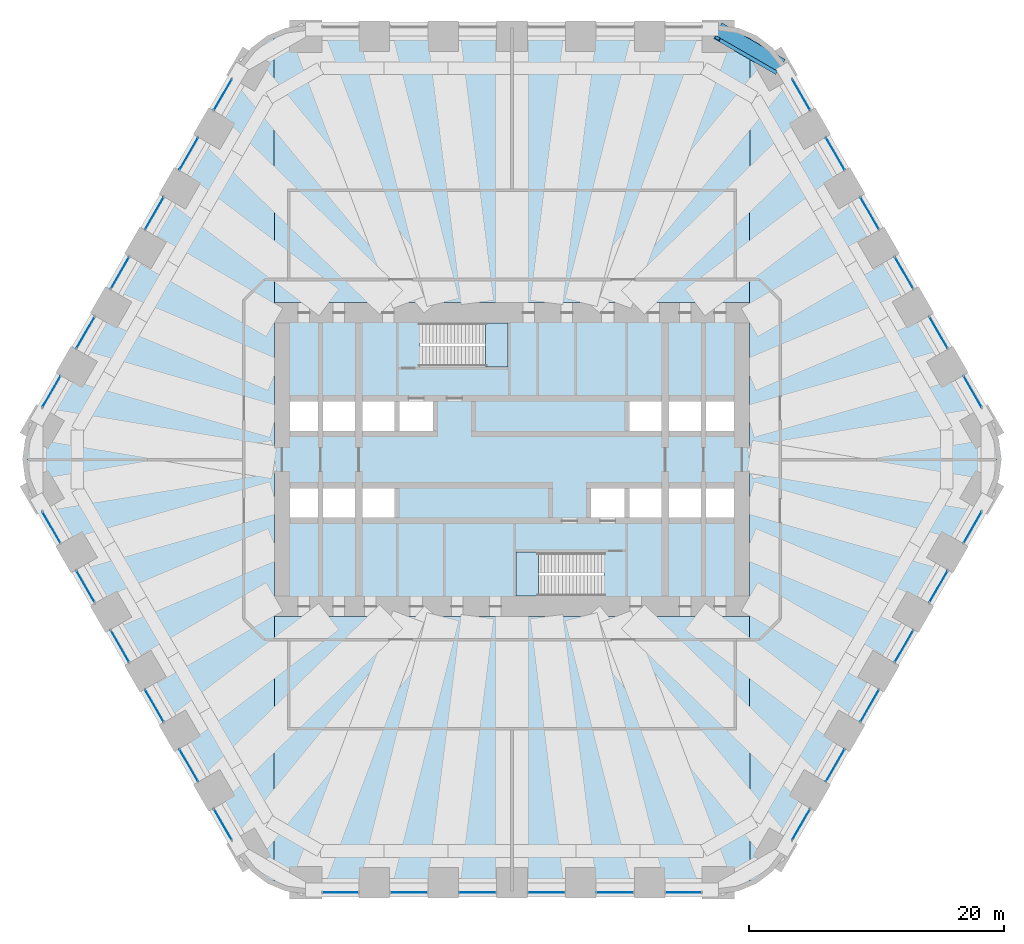
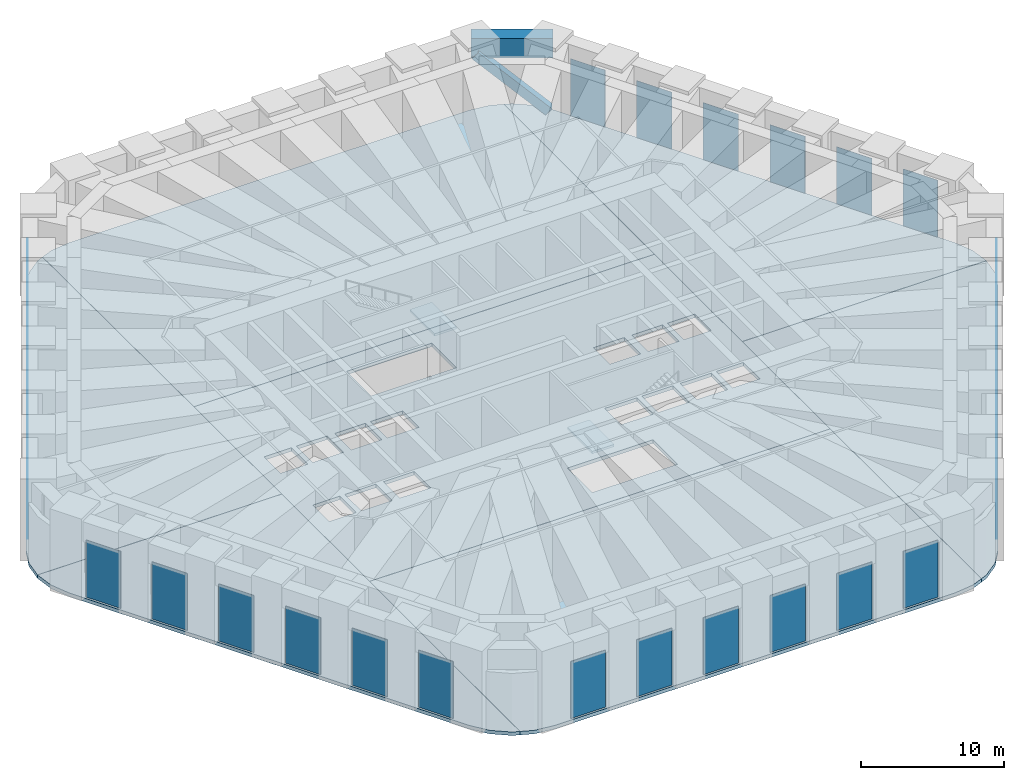
# One storey, part 12 of 17: 30 plates, 9 slabs, 1 beam, 1 member, 32 elements without a shape of their own.
"""IFC4 building model written with IfcOpenShell, lengths in metres."""

from ifc_helpers import new_model, si_unit, direction, frame, origin, origin_2d, place, context, subcontext, project, spatial, polyline, rectangle, hollow_rectangle, outline, extrude, material, layer, layer_set, material_profile, profile_set, type_object, element, aggregate, save


model = new_model("IFC4")

# Units and contexts
model_context = context("Model", 3, precision=1e-05, world=origin(), true_north=direction((0.0, 1.0)))
body_context = subcontext(model_context, "Body", "Model", "MODEL_VIEW")
ifc_project = project(units=[si_unit("LENGTHUNIT", "METRE"), si_unit("AREAUNIT", "SQUARE_METRE"), si_unit("VOLUMEUNIT", "CUBIC_METRE"), si_unit("PLANEANGLEUNIT", "RADIAN"), si_unit("MASSUNIT", "GRAM", prefix="KILO")], contexts=[model_context])

# Site, building, storey
site_placement = place(None, origin())
site = spatial("IfcSite", under=ifc_project, at=site_placement, CompositionType="ELEMENT")
building_placement = place(site_placement, origin())
building = spatial("IfcBuilding", under=site, at=building_placement, Name="Tarfa Lantern Tower", CompositionType="ELEMENT")
storey_placement = place(building_placement, frame((0.0, 0.0, 107.5)))
storey = spatial("IfcBuildingStorey", under=building, at=storey_placement, Name="L24", CompositionType="ELEMENT", Elevation=107.5)

# Member
ifc_material_1 = material(Name="Steel S460M", Category="steel")
ifc_material_profile_1 = material_profile(ifc_material_1, hollow_rectangle(XDim=0.699951171875, YDim=0.699951171875, WallThickness=0.080078125, at=origin_2d()), Name="BOX700x700x80")
ifc_profile_set_1 = profile_set([ifc_material_profile_1], Name="Steel S460M")
member_type = type_object("IfcMemberType", Name="BT1 BOX700x700x80", PredefinedType="BRACE", material=ifc_profile_set_1)
member_placement = place(storey_placement, frame((20.625732421875, 30.574951171875, 0.60009765625), z_axis=(-0.633529001799, 0.365766935733, 0.681803162654), x_axis=(-0.499998765615, -0.866026116456, 0.0)))
element("IfcMember", 1, at=member_placement, inside=storey, type_object=member_type, Name="Belt truss diagonal 7", PredefinedType="BRACE", context=body_context, shape_type="SweptSolid", body=[
    extrude(hollow_rectangle(XDim=0.699951171875, YDim=0.699951171875, WallThickness=0.080078125, at=origin_2d()), origin(), (0.0, 0.0, 1.0), 7.039794921875),
])

# Beam
ifc_material_2 = material(Name="Concrete C80/95", Category="concrete")
ifc_material_profile_2 = material_profile(ifc_material_2, rectangle(XDim=1.10009765625, YDim=1.699951171875, at=origin_2d()), Name="RC 1100x1700")
ifc_profile_set_2 = profile_set([ifc_material_profile_2], Name="Concrete C80/95")
beam_type = type_object("IfcBeamType", Name="RB1 RC 1100x1700", PredefinedType="BEAM", material=ifc_profile_set_2)
beam_placement = place(storey_placement, frame((21.119384765625, 30.860107421875, 5.85009765625), z_axis=(-0.866033479681, 0.499986011877, 0.0), x_axis=(-0.499986011877, -0.866033479681, 0.0)))
element("IfcBeam", 2, at=beam_placement, inside=storey, type_object=beam_type, Name="Edge beam NE6", PredefinedType="BEAM", context=body_context, shape_type="SweptSolid", body=[
    extrude(rectangle(XDim=1.10009765625, YDim=1.699951171875, at=origin_2d()), origin(), (0.0, 0.0, 1.0), 5.719970703125),
])

# Curtain wall, plate
ifc_material_3 = material(Name="Aluminium framed curtain wall", Category="aluminium")
curtain_wall_type = type_object("IfcCurtainWallType", Name="CW6 LOUVRED SCREEN WALL 5000", PredefinedType="USERDEFINED", material=ifc_material_3)
curtain_wall_1_placement = place(storey_placement, origin())
curtain_wall_1 = element("IfcCurtainWall", 3, at=curtain_wall_1_placement, inside=storey, type_object=curtain_wall_type, Name="CW6 NE L24", ObjectType="CURTAIN WALL", PredefinedType="USERDEFINED")
ifc_material_4 = material(Name="Aluminium louvre blades", Category="aluminium")
ifc_layer_1 = layer(ifc_material_4, 0.028076171875)
ifc_layer_set_1 = layer_set([ifc_layer_1], Name="CWP2 LOUVRE PANEL")
plate_type = type_object("IfcPlateType", Name="CWP2 LOUVRE PANEL", PredefinedType="CURTAIN_PANEL", material=ifc_layer_set_1)
plate_1_placement = place(storey_placement, frame((36.0751953125, 5.31591796875, 0.06494140625), z_axis=(0.0, 0.0, 1.0), x_axis=(-0.5, 0.866025403784, 0.0)))
plate_1 = element("IfcPlate", 4, at=plate_1_placement, type_object=plate_type, Name="CW6 panel 1.1", PredefinedType="CURTAIN_PANEL", context=body_context, shape_type="SweptSolid", body=[
    extrude(rectangle(XDim=2.78369140625, YDim=0.028076171875, at=origin_2d()), origin(), (0.0, 0.0, 1.0), 4.8701171875),
])
aggregate(curtain_wall_1, [plate_1])

curtain_wall_2_placement = place(storey_placement, origin())
curtain_wall_2 = element("IfcCurtainWall", 5, at=curtain_wall_2_placement, inside=storey, type_object=curtain_wall_type, Name="CW6 NE L24", ObjectType="CURTAIN WALL", PredefinedType="USERDEFINED")
plate_2_placement = place(storey_placement, frame((33.399658203125, 9.949951171875, 0.06494140625), z_axis=(0.0, 0.0, 1.0), x_axis=(-0.5, 0.866025403784, 0.0)))
plate_2 = element("IfcPlate", 6, at=plate_2_placement, type_object=plate_type, Name="CW6 panel 1.1", PredefinedType="CURTAIN_PANEL", context=body_context, shape_type="SweptSolid", body=[
    extrude(rectangle(XDim=2.858642578125, YDim=0.028076171875, at=origin_2d()), origin(), (0.0, 0.0, 1.0), 4.8701171875),
])
aggregate(curtain_wall_2, [plate_2])

curtain_wall_3_placement = place(storey_placement, origin())
curtain_wall_3 = element("IfcCurtainWall", 7, at=curtain_wall_3_placement, inside=storey, type_object=curtain_wall_type, Name="CW6 NE L24", ObjectType="CURTAIN WALL", PredefinedType="USERDEFINED")
plate_3_placement = place(storey_placement, frame((30.705322265625, 14.61669921875, 0.06494140625), z_axis=(0.0, 0.0, 1.0), x_axis=(-0.5, 0.866025403784, 0.0)))
plate_3 = element("IfcPlate", 8, at=plate_3_placement, type_object=plate_type, Name="CW6 panel 1.1", PredefinedType="CURTAIN_PANEL", context=body_context, shape_type="SweptSolid", body=[
    extrude(rectangle(XDim=2.858642578125, YDim=0.028076171875, at=origin_2d()), origin(), (0.0, 0.0, 1.0), 4.8701171875),
])
aggregate(curtain_wall_3, [plate_3])

curtain_wall_4_placement = place(storey_placement, origin())
curtain_wall_4 = element("IfcCurtainWall", 9, at=curtain_wall_4_placement, inside=storey, type_object=curtain_wall_type, Name="CW6 NE L24", ObjectType="CURTAIN WALL", PredefinedType="USERDEFINED")
plate_4_placement = place(storey_placement, frame((28.01123046875, 19.283447265625, 0.06494140625), z_axis=(0.0, 0.0, 1.0), x_axis=(-0.5, 0.866025403784, 0.0)))
plate_4 = element("IfcPlate", 10, at=plate_4_placement, type_object=plate_type, Name="CW6 panel 1.1", PredefinedType="CURTAIN_PANEL", context=body_context, shape_type="SweptSolid", body=[
    extrude(rectangle(XDim=2.858642578125, YDim=0.028076171875, at=origin_2d()), origin(), (0.0, 0.0, 1.0), 4.8701171875),
])
aggregate(curtain_wall_4, [plate_4])

curtain_wall_5_placement = place(storey_placement, origin())
curtain_wall_5 = element("IfcCurtainWall", 11, at=curtain_wall_5_placement, inside=storey, type_object=curtain_wall_type, Name="CW6 NE L24", ObjectType="CURTAIN WALL", PredefinedType="USERDEFINED")
plate_5_placement = place(storey_placement, frame((25.31689453125, 23.949951171875, 0.06494140625), z_axis=(0.0, 0.0, 1.0), x_axis=(-0.5, 0.866025403784, 0.0)))
plate_5 = element("IfcPlate", 12, at=plate_5_placement, type_object=plate_type, Name="CW6 panel 1.1", PredefinedType="CURTAIN_PANEL", context=body_context, shape_type="SweptSolid", body=[
    extrude(rectangle(XDim=2.858642578125, YDim=0.028076171875, at=origin_2d()), origin(), (0.0, 0.0, 1.0), 4.8701171875),
])
aggregate(curtain_wall_5, [plate_5])

curtain_wall_6_placement = place(storey_placement, origin())
curtain_wall_6 = element("IfcCurtainWall", 13, at=curtain_wall_6_placement, inside=storey, type_object=curtain_wall_type, Name="CW6 NE L24", ObjectType="CURTAIN WALL", PredefinedType="USERDEFINED")
plate_6_placement = place(storey_placement, frame((22.641357421875, 28.584228515625, 0.06494140625), z_axis=(0.0, 0.0, 1.0), x_axis=(-0.5, 0.866025403784, 0.0)))
plate_6 = element("IfcPlate", 14, at=plate_6_placement, type_object=plate_type, Name="CW6 panel 1.1", PredefinedType="CURTAIN_PANEL", context=body_context, shape_type="SweptSolid", body=[
    extrude(rectangle(XDim=2.78369140625, YDim=0.028076171875, at=origin_2d()), origin(), (0.0, 0.0, 1.0), 4.8701171875),
])
aggregate(curtain_wall_6, [plate_6])

curtain_wall_7_placement = place(storey_placement, origin())
curtain_wall_7 = element("IfcCurtainWall", 15, at=curtain_wall_7_placement, inside=storey, type_object=curtain_wall_type, Name="CW6 NW L24", ObjectType="CURTAIN WALL", PredefinedType="USERDEFINED")
plate_7_placement = place(storey_placement, frame((-22.641357421875, 28.584228515625, 0.06494140625), z_axis=(0.0, 0.0, 1.0), x_axis=(-0.5, -0.866025403784, 0.0)))
plate_7 = element("IfcPlate", 16, at=plate_7_placement, type_object=plate_type, Name="CW6 panel 1.1", PredefinedType="CURTAIN_PANEL", context=body_context, shape_type="SweptSolid", body=[
    extrude(rectangle(XDim=2.78369140625, YDim=0.028076171875, at=origin_2d()), origin(), (0.0, 0.0, 1.0), 4.8701171875),
])
aggregate(curtain_wall_7, [plate_7])

curtain_wall_8_placement = place(storey_placement, origin())
curtain_wall_8 = element("IfcCurtainWall", 17, at=curtain_wall_8_placement, inside=storey, type_object=curtain_wall_type, Name="CW6 NW L24", ObjectType="CURTAIN WALL", PredefinedType="USERDEFINED")
plate_8_placement = place(storey_placement, frame((-25.31689453125, 23.949951171875, 0.06494140625), z_axis=(0.0, 0.0, 1.0), x_axis=(-0.5, -0.866025403784, 0.0)))
plate_8 = element("IfcPlate", 18, at=plate_8_placement, type_object=plate_type, Name="CW6 panel 1.1", PredefinedType="CURTAIN_PANEL", context=body_context, shape_type="SweptSolid", body=[
    extrude(rectangle(XDim=2.858642578125, YDim=0.028076171875, at=origin_2d()), origin(), (0.0, 0.0, 1.0), 4.8701171875),
])
aggregate(curtain_wall_8, [plate_8])

curtain_wall_9_placement = place(storey_placement, origin())
curtain_wall_9 = element("IfcCurtainWall", 19, at=curtain_wall_9_placement, inside=storey, type_object=curtain_wall_type, Name="CW6 NW L24", ObjectType="CURTAIN WALL", PredefinedType="USERDEFINED")
plate_9_placement = place(storey_placement, frame((-28.01123046875, 19.283447265625, 0.06494140625), z_axis=(0.0, 0.0, 1.0), x_axis=(-0.5, -0.866025403784, 0.0)))
plate_9 = element("IfcPlate", 20, at=plate_9_placement, type_object=plate_type, Name="CW6 panel 1.1", PredefinedType="CURTAIN_PANEL", context=body_context, shape_type="SweptSolid", body=[
    extrude(rectangle(XDim=2.858642578125, YDim=0.028076171875, at=origin_2d()), origin(), (0.0, 0.0, 1.0), 4.8701171875),
])
aggregate(curtain_wall_9, [plate_9])

curtain_wall_10_placement = place(storey_placement, origin())
curtain_wall_10 = element("IfcCurtainWall", 21, at=curtain_wall_10_placement, inside=storey, type_object=curtain_wall_type, Name="CW6 NW L24", ObjectType="CURTAIN WALL", PredefinedType="USERDEFINED")
plate_10_placement = place(storey_placement, frame((-30.705322265625, 14.61669921875, 0.06494140625), z_axis=(0.0, 0.0, 1.0), x_axis=(-0.5, -0.866025403784, 0.0)))
plate_10 = element("IfcPlate", 22, at=plate_10_placement, type_object=plate_type, Name="CW6 panel 1.1", PredefinedType="CURTAIN_PANEL", context=body_context, shape_type="SweptSolid", body=[
    extrude(rectangle(XDim=2.858642578125, YDim=0.028076171875, at=origin_2d()), origin(), (0.0, 0.0, 1.0), 4.8701171875),
])
aggregate(curtain_wall_10, [plate_10])

curtain_wall_11_placement = place(storey_placement, origin())
curtain_wall_11 = element("IfcCurtainWall", 23, at=curtain_wall_11_placement, inside=storey, type_object=curtain_wall_type, Name="CW6 NW L24", ObjectType="CURTAIN WALL", PredefinedType="USERDEFINED")
plate_11_placement = place(storey_placement, frame((-33.399658203125, 9.949951171875, 0.06494140625), z_axis=(0.0, 0.0, 1.0), x_axis=(-0.5, -0.866025403784, 0.0)))
plate_11 = element("IfcPlate", 24, at=plate_11_placement, type_object=plate_type, Name="CW6 panel 1.1", PredefinedType="CURTAIN_PANEL", context=body_context, shape_type="SweptSolid", body=[
    extrude(rectangle(XDim=2.858642578125, YDim=0.028076171875, at=origin_2d()), origin(), (0.0, 0.0, 1.0), 4.8701171875),
])
aggregate(curtain_wall_11, [plate_11])

curtain_wall_12_placement = place(storey_placement, origin())
curtain_wall_12 = element("IfcCurtainWall", 25, at=curtain_wall_12_placement, inside=storey, type_object=curtain_wall_type, Name="CW6 NW L24", ObjectType="CURTAIN WALL", PredefinedType="USERDEFINED")
plate_12_placement = place(storey_placement, frame((-36.0751953125, 5.31591796875, 0.06494140625), z_axis=(0.0, 0.0, 1.0), x_axis=(-0.5, -0.866025403784, 0.0)))
plate_12 = element("IfcPlate", 26, at=plate_12_placement, type_object=plate_type, Name="CW6 panel 1.1", PredefinedType="CURTAIN_PANEL", context=body_context, shape_type="SweptSolid", body=[
    extrude(rectangle(XDim=2.78369140625, YDim=0.028076171875, at=origin_2d()), origin(), (0.0, 0.0, 1.0), 4.8701171875),
])
aggregate(curtain_wall_12, [plate_12])

curtain_wall_13_placement = place(storey_placement, origin())
curtain_wall_13 = element("IfcCurtainWall", 27, at=curtain_wall_13_placement, inside=storey, type_object=curtain_wall_type, Name="CW6 SW L24", ObjectType="CURTAIN WALL", PredefinedType="USERDEFINED")
plate_13_placement = place(storey_placement, frame((-36.0751953125, -5.31591796875, 0.06494140625), z_axis=(0.0, 0.0, 1.0), x_axis=(0.5, -0.866025403784, 0.0)))
plate_13 = element("IfcPlate", 28, at=plate_13_placement, type_object=plate_type, Name="CW6 panel 1.1", PredefinedType="CURTAIN_PANEL", context=body_context, shape_type="SweptSolid", body=[
    extrude(rectangle(XDim=2.78369140625, YDim=0.028076171875, at=origin_2d()), origin(), (0.0, 0.0, 1.0), 4.8701171875),
])
aggregate(curtain_wall_13, [plate_13])

curtain_wall_14_placement = place(storey_placement, origin())
curtain_wall_14 = element("IfcCurtainWall", 29, at=curtain_wall_14_placement, inside=storey, type_object=curtain_wall_type, Name="CW6 SW L24", ObjectType="CURTAIN WALL", PredefinedType="USERDEFINED")
plate_14_placement = place(storey_placement, frame((-33.399658203125, -9.949951171875, 0.06494140625), z_axis=(0.0, 0.0, 1.0), x_axis=(0.5, -0.866025403784, 0.0)))
plate_14 = element("IfcPlate", 30, at=plate_14_placement, type_object=plate_type, Name="CW6 panel 1.1", PredefinedType="CURTAIN_PANEL", context=body_context, shape_type="SweptSolid", body=[
    extrude(rectangle(XDim=2.858642578125, YDim=0.028076171875, at=origin_2d()), origin(), (0.0, 0.0, 1.0), 4.8701171875),
])
aggregate(curtain_wall_14, [plate_14])

curtain_wall_15_placement = place(storey_placement, origin())
curtain_wall_15 = element("IfcCurtainWall", 31, at=curtain_wall_15_placement, inside=storey, type_object=curtain_wall_type, Name="CW6 SW L24", ObjectType="CURTAIN WALL", PredefinedType="USERDEFINED")
plate_15_placement = place(storey_placement, frame((-30.705322265625, -14.61669921875, 0.06494140625), z_axis=(0.0, 0.0, 1.0), x_axis=(0.5, -0.866025403784, 0.0)))
plate_15 = element("IfcPlate", 32, at=plate_15_placement, type_object=plate_type, Name="CW6 panel 1.1", PredefinedType="CURTAIN_PANEL", context=body_context, shape_type="SweptSolid", body=[
    extrude(rectangle(XDim=2.858642578125, YDim=0.028076171875, at=origin_2d()), origin(), (0.0, 0.0, 1.0), 4.8701171875),
])
aggregate(curtain_wall_15, [plate_15])

curtain_wall_16_placement = place(storey_placement, origin())
curtain_wall_16 = element("IfcCurtainWall", 33, at=curtain_wall_16_placement, inside=storey, type_object=curtain_wall_type, Name="CW6 SW L24", ObjectType="CURTAIN WALL", PredefinedType="USERDEFINED")
plate_16_placement = place(storey_placement, frame((-28.01123046875, -19.283447265625, 0.06494140625), z_axis=(0.0, 0.0, 1.0), x_axis=(0.5, -0.866025403784, 0.0)))
plate_16 = element("IfcPlate", 34, at=plate_16_placement, type_object=plate_type, Name="CW6 panel 1.1", PredefinedType="CURTAIN_PANEL", context=body_context, shape_type="SweptSolid", body=[
    extrude(rectangle(XDim=2.858642578125, YDim=0.028076171875, at=origin_2d()), origin(), (0.0, 0.0, 1.0), 4.8701171875),
])
aggregate(curtain_wall_16, [plate_16])

curtain_wall_17_placement = place(storey_placement, origin())
curtain_wall_17 = element("IfcCurtainWall", 35, at=curtain_wall_17_placement, inside=storey, type_object=curtain_wall_type, Name="CW6 SW L24", ObjectType="CURTAIN WALL", PredefinedType="USERDEFINED")
plate_17_placement = place(storey_placement, frame((-25.31689453125, -23.949951171875, 0.06494140625), z_axis=(0.0, 0.0, 1.0), x_axis=(0.5, -0.866025403784, 0.0)))
plate_17 = element("IfcPlate", 36, at=plate_17_placement, type_object=plate_type, Name="CW6 panel 1.1", PredefinedType="CURTAIN_PANEL", context=body_context, shape_type="SweptSolid", body=[
    extrude(rectangle(XDim=2.858642578125, YDim=0.028076171875, at=origin_2d()), origin(), (0.0, 0.0, 1.0), 4.8701171875),
])
aggregate(curtain_wall_17, [plate_17])

curtain_wall_18_placement = place(storey_placement, origin())
curtain_wall_18 = element("IfcCurtainWall", 37, at=curtain_wall_18_placement, inside=storey, type_object=curtain_wall_type, Name="CW6 SW L24", ObjectType="CURTAIN WALL", PredefinedType="USERDEFINED")
plate_18_placement = place(storey_placement, frame((-22.641357421875, -28.584228515625, 0.06494140625), z_axis=(0.0, 0.0, 1.0), x_axis=(0.5, -0.866025403784, 0.0)))
plate_18 = element("IfcPlate", 38, at=plate_18_placement, type_object=plate_type, Name="CW6 panel 1.1", PredefinedType="CURTAIN_PANEL", context=body_context, shape_type="SweptSolid", body=[
    extrude(rectangle(XDim=2.78369140625, YDim=0.028076171875, at=origin_2d()), origin(), (0.0, 0.0, 1.0), 4.8701171875),
])
aggregate(curtain_wall_18, [plate_18])

curtain_wall_19_placement = place(storey_placement, origin())
curtain_wall_19 = element("IfcCurtainWall", 39, at=curtain_wall_19_placement, inside=storey, type_object=curtain_wall_type, Name="CW6 S L24", ObjectType="CURTAIN WALL", PredefinedType="USERDEFINED")
plate_19_placement = place(storey_placement, frame((-13.43408203125, -33.89990234375, 0.06494140625), z_axis=(0.0, 0.0, 1.0), x_axis=(1.0, 0.0, 0.0)))
plate_19 = element("IfcPlate", 40, at=plate_19_placement, type_object=plate_type, Name="CW6 panel 1.1", PredefinedType="CURTAIN_PANEL", context=body_context, shape_type="SweptSolid", body=[
    extrude(rectangle(XDim=2.78369140625, YDim=0.028076171875, at=origin_2d()), origin(), (0.0, 0.0, 1.0), 4.8701171875),
])
aggregate(curtain_wall_19, [plate_19])

curtain_wall_20_placement = place(storey_placement, origin())
curtain_wall_20 = element("IfcCurtainWall", 41, at=curtain_wall_20_placement, inside=storey, type_object=curtain_wall_type, Name="CW6 S L24", ObjectType="CURTAIN WALL", PredefinedType="USERDEFINED")
plate_20_placement = place(storey_placement, frame((-8.0830078125, -33.89990234375, 0.06494140625), z_axis=(0.0, 0.0, 1.0), x_axis=(1.0, 0.0, 0.0)))
plate_20 = element("IfcPlate", 42, at=plate_20_placement, type_object=plate_type, Name="CW6 panel 1.1", PredefinedType="CURTAIN_PANEL", context=body_context, shape_type="SweptSolid", body=[
    extrude(rectangle(XDim=2.858642578125, YDim=0.028076171875, at=origin_2d()), origin(), (0.0, 0.0, 1.0), 4.8701171875),
])
aggregate(curtain_wall_20, [plate_20])

curtain_wall_21_placement = place(storey_placement, origin())
curtain_wall_21 = element("IfcCurtainWall", 43, at=curtain_wall_21_placement, inside=storey, type_object=curtain_wall_type, Name="CW6 S L24", ObjectType="CURTAIN WALL", PredefinedType="USERDEFINED")
plate_21_placement = place(storey_placement, frame((-2.6943359375, -33.89990234375, 0.06494140625), z_axis=(0.0, 0.0, 1.0), x_axis=(1.0, 0.0, 0.0)))
plate_21 = element("IfcPlate", 44, at=plate_21_placement, type_object=plate_type, Name="CW6 panel 1.1", PredefinedType="CURTAIN_PANEL", context=body_context, shape_type="SweptSolid", body=[
    extrude(rectangle(XDim=2.858642578125, YDim=0.028076171875, at=origin_2d()), origin(), (0.0, 0.0, 1.0), 4.8701171875),
])
aggregate(curtain_wall_21, [plate_21])

curtain_wall_22_placement = place(storey_placement, origin())
curtain_wall_22 = element("IfcCurtainWall", 45, at=curtain_wall_22_placement, inside=storey, type_object=curtain_wall_type, Name="CW6 S L24", ObjectType="CURTAIN WALL", PredefinedType="USERDEFINED")
plate_22_placement = place(storey_placement, frame((2.6943359375, -33.89990234375, 0.06494140625), z_axis=(0.0, 0.0, 1.0), x_axis=(1.0, 0.0, 0.0)))
plate_22 = element("IfcPlate", 46, at=plate_22_placement, type_object=plate_type, Name="CW6 panel 1.1", PredefinedType="CURTAIN_PANEL", context=body_context, shape_type="SweptSolid", body=[
    extrude(rectangle(XDim=2.858642578125, YDim=0.028076171875, at=origin_2d()), origin(), (0.0, 0.0, 1.0), 4.8701171875),
])
aggregate(curtain_wall_22, [plate_22])

curtain_wall_23_placement = place(storey_placement, origin())
curtain_wall_23 = element("IfcCurtainWall", 47, at=curtain_wall_23_placement, inside=storey, type_object=curtain_wall_type, Name="CW6 S L24", ObjectType="CURTAIN WALL", PredefinedType="USERDEFINED")
plate_23_placement = place(storey_placement, frame((8.0830078125, -33.89990234375, 0.06494140625), z_axis=(0.0, 0.0, 1.0), x_axis=(1.0, 0.0, 0.0)))
plate_23 = element("IfcPlate", 48, at=plate_23_placement, type_object=plate_type, Name="CW6 panel 1.1", PredefinedType="CURTAIN_PANEL", context=body_context, shape_type="SweptSolid", body=[
    extrude(rectangle(XDim=2.858642578125, YDim=0.028076171875, at=origin_2d()), origin(), (0.0, 0.0, 1.0), 4.8701171875),
])
aggregate(curtain_wall_23, [plate_23])

curtain_wall_24_placement = place(storey_placement, origin())
curtain_wall_24 = element("IfcCurtainWall", 49, at=curtain_wall_24_placement, inside=storey, type_object=curtain_wall_type, Name="CW6 S L24", ObjectType="CURTAIN WALL", PredefinedType="USERDEFINED")
plate_24_placement = place(storey_placement, frame((13.43408203125, -33.89990234375, 0.06494140625), z_axis=(0.0, 0.0, 1.0), x_axis=(1.0, 0.0, 0.0)))
plate_24 = element("IfcPlate", 50, at=plate_24_placement, type_object=plate_type, Name="CW6 panel 1.1", PredefinedType="CURTAIN_PANEL", context=body_context, shape_type="SweptSolid", body=[
    extrude(rectangle(XDim=2.78369140625, YDim=0.028076171875, at=origin_2d()), origin(), (0.0, 0.0, 1.0), 4.8701171875),
])
aggregate(curtain_wall_24, [plate_24])

curtain_wall_25_placement = place(storey_placement, origin())
curtain_wall_25 = element("IfcCurtainWall", 51, at=curtain_wall_25_placement, inside=storey, type_object=curtain_wall_type, Name="CW6 SE L24", ObjectType="CURTAIN WALL", PredefinedType="USERDEFINED")
plate_25_placement = place(storey_placement, frame((22.641357421875, -28.584228515625, 0.06494140625), z_axis=(0.0, 0.0, 1.0), x_axis=(0.5, 0.866025403784, 0.0)))
plate_25 = element("IfcPlate", 52, at=plate_25_placement, type_object=plate_type, Name="CW6 panel 1.1", PredefinedType="CURTAIN_PANEL", context=body_context, shape_type="SweptSolid", body=[
    extrude(rectangle(XDim=2.78369140625, YDim=0.028076171875, at=origin_2d()), origin(), (0.0, 0.0, 1.0), 4.8701171875),
])
aggregate(curtain_wall_25, [plate_25])

curtain_wall_26_placement = place(storey_placement, origin())
curtain_wall_26 = element("IfcCurtainWall", 53, at=curtain_wall_26_placement, inside=storey, type_object=curtain_wall_type, Name="CW6 SE L24", ObjectType="CURTAIN WALL", PredefinedType="USERDEFINED")
plate_26_placement = place(storey_placement, frame((25.31689453125, -23.949951171875, 0.06494140625), z_axis=(0.0, 0.0, 1.0), x_axis=(0.5, 0.866025403784, 0.0)))
plate_26 = element("IfcPlate", 54, at=plate_26_placement, type_object=plate_type, Name="CW6 panel 1.1", PredefinedType="CURTAIN_PANEL", context=body_context, shape_type="SweptSolid", body=[
    extrude(rectangle(XDim=2.858642578125, YDim=0.028076171875, at=origin_2d()), origin(), (0.0, 0.0, 1.0), 4.8701171875),
])
aggregate(curtain_wall_26, [plate_26])

curtain_wall_27_placement = place(storey_placement, origin())
curtain_wall_27 = element("IfcCurtainWall", 55, at=curtain_wall_27_placement, inside=storey, type_object=curtain_wall_type, Name="CW6 SE L24", ObjectType="CURTAIN WALL", PredefinedType="USERDEFINED")
plate_27_placement = place(storey_placement, frame((28.01123046875, -19.283447265625, 0.06494140625), z_axis=(0.0, 0.0, 1.0), x_axis=(0.5, 0.866025403784, 0.0)))
plate_27 = element("IfcPlate", 56, at=plate_27_placement, type_object=plate_type, Name="CW6 panel 1.1", PredefinedType="CURTAIN_PANEL", context=body_context, shape_type="SweptSolid", body=[
    extrude(rectangle(XDim=2.858642578125, YDim=0.028076171875, at=origin_2d()), origin(), (0.0, 0.0, 1.0), 4.8701171875),
])
aggregate(curtain_wall_27, [plate_27])

curtain_wall_28_placement = place(storey_placement, origin())
curtain_wall_28 = element("IfcCurtainWall", 57, at=curtain_wall_28_placement, inside=storey, type_object=curtain_wall_type, Name="CW6 SE L24", ObjectType="CURTAIN WALL", PredefinedType="USERDEFINED")
plate_28_placement = place(storey_placement, frame((30.705322265625, -14.61669921875, 0.06494140625), z_axis=(0.0, 0.0, 1.0), x_axis=(0.5, 0.866025403784, 0.0)))
plate_28 = element("IfcPlate", 58, at=plate_28_placement, type_object=plate_type, Name="CW6 panel 1.1", PredefinedType="CURTAIN_PANEL", context=body_context, shape_type="SweptSolid", body=[
    extrude(rectangle(XDim=2.858642578125, YDim=0.028076171875, at=origin_2d()), origin(), (0.0, 0.0, 1.0), 4.8701171875),
])
aggregate(curtain_wall_28, [plate_28])

curtain_wall_29_placement = place(storey_placement, origin())
curtain_wall_29 = element("IfcCurtainWall", 59, at=curtain_wall_29_placement, inside=storey, type_object=curtain_wall_type, Name="CW6 SE L24", ObjectType="CURTAIN WALL", PredefinedType="USERDEFINED")
plate_29_placement = place(storey_placement, frame((33.399658203125, -9.949951171875, 0.06494140625), z_axis=(0.0, 0.0, 1.0), x_axis=(0.5, 0.866025403784, 0.0)))
plate_29 = element("IfcPlate", 60, at=plate_29_placement, type_object=plate_type, Name="CW6 panel 1.1", PredefinedType="CURTAIN_PANEL", context=body_context, shape_type="SweptSolid", body=[
    extrude(rectangle(XDim=2.858642578125, YDim=0.028076171875, at=origin_2d()), origin(), (0.0, 0.0, 1.0), 4.8701171875),
])
aggregate(curtain_wall_29, [plate_29])

curtain_wall_30_placement = place(storey_placement, origin())
curtain_wall_30 = element("IfcCurtainWall", 61, at=curtain_wall_30_placement, inside=storey, type_object=curtain_wall_type, Name="CW6 SE L24", ObjectType="CURTAIN WALL", PredefinedType="USERDEFINED")
plate_30_placement = place(storey_placement, frame((36.0751953125, -5.31591796875, 0.06494140625), z_axis=(0.0, 0.0, 1.0), x_axis=(0.5, 0.866025403784, 0.0)))
plate_30 = element("IfcPlate", 62, at=plate_30_placement, type_object=plate_type, Name="CW6 panel 1.1", PredefinedType="CURTAIN_PANEL", context=body_context, shape_type="SweptSolid", body=[
    extrude(rectangle(XDim=2.78369140625, YDim=0.028076171875, at=origin_2d()), origin(), (0.0, 0.0, 1.0), 4.8701171875),
])
aggregate(curtain_wall_30, [plate_30])

# Slabs
ifc_material_5 = material(Name="Concrete C40/50", Category="concrete")
ifc_layer_2 = layer(ifc_material_5, 0.300048828125)
ifc_layer_set_2 = layer_set([ifc_layer_2], Name="FS2 FLOOR SLAB 300")
slab_type_1 = type_object("IfcSlabType", Name="FS2 FLOOR SLAB 300", PredefinedType="FLOOR", material=ifc_layer_set_2)
slab_1_placement = place(storey_placement, frame((0.0, 0.0, -0.300048828125)))
element("IfcSlab", 63, at=slab_1_placement, inside=storey, type_object=slab_type_1, Name="Floor slab L24", PredefinedType="FLOOR", context=body_context, shape_type="SweptSolid", body=[
    extrude(outline(polyline([(-18.60009765625, -12.300048828125), (18.60009765625, -12.300048828125), (18.60009765625, 12.300048828125), (-18.60009765625, 12.300048828125), (-18.60009765625, -12.300048828125)]), holes=[polyline([(-17.39990234375, 2.25), (-15.199951171875, 2.25), (-15.199951171875, 4.550048828125), (-17.39990234375, 4.550048828125), (-17.39990234375, 2.25)]), polyline([(-14.800048828125, 2.25), (-12.300048828125, 2.25), (-12.300048828125, 4.550048828125), (-14.800048828125, 4.550048828125), (-14.800048828125, 2.25)]), polyline([(-11.699951171875, 2.25), (-9.199951171875, 2.25), (-9.199951171875, 4.550048828125), (-11.699951171875, 4.550048828125), (-11.699951171875, 2.25)]), polyline([(-8.800048828125, 2.25), (-6.199951171875, 2.25), (-6.199951171875, 4.550048828125), (-8.800048828125, 4.550048828125), (-8.800048828125, 2.25)]), polyline([(9.199951171875, 2.25), (11.699951171875, 2.25), (11.699951171875, 4.550048828125), (9.199951171875, 4.550048828125), (9.199951171875, 2.25)]), polyline([(12.300048828125, 2.25), (14.800048828125, 2.25), (14.800048828125, 4.550048828125), (12.300048828125, 4.550048828125), (12.300048828125, 2.25)]), polyline([(15.199951171875, 2.25), (17.39990234375, 2.25), (17.39990234375, 4.550048828125), (15.199951171875, 4.550048828125), (15.199951171875, 2.25)]), polyline([(17.39990234375, -2.25), (15.199951171875, -2.25), (15.199951171875, -4.550048828125), (17.39990234375, -4.550048828125), (17.39990234375, -2.25)]), polyline([(14.800048828125, -2.25), (12.300048828125, -2.25), (12.300048828125, -4.550048828125), (14.800048828125, -4.550048828125), (14.800048828125, -2.25)]), polyline([(11.699951171875, -2.25), (9.199951171875, -2.25), (9.199951171875, -4.550048828125), (11.699951171875, -4.550048828125), (11.699951171875, -2.25)]), polyline([(8.800048828125, -2.25), (6.199951171875, -2.25), (6.199951171875, -4.550048828125), (8.800048828125, -4.550048828125), (8.800048828125, -2.25)]), polyline([(-9.199951171875, -2.25), (-11.699951171875, -2.25), (-11.699951171875, -4.550048828125), (-9.199951171875, -4.550048828125), (-9.199951171875, -2.25)]), polyline([(-12.300048828125, -2.25), (-14.800048828125, -2.25), (-14.800048828125, -4.550048828125), (-12.300048828125, -4.550048828125), (-12.300048828125, -2.25)]), polyline([(-15.199951171875, -2.25), (-17.39990234375, -2.25), (-17.39990234375, -4.550048828125), (-15.199951171875, -4.550048828125), (-15.199951171875, -2.25)]), polyline([(-7.199951171875, 7.25), (-0.300048828125, 7.25), (-0.300048828125, 10.699951171875), (-7.199951171875, 10.699951171875), (-7.199951171875, 7.25)]), polyline([(7.199951171875, -7.25), (0.300048828125, -7.25), (0.300048828125, -10.699951171875), (7.199951171875, -10.699951171875), (7.199951171875, -7.25)])]), origin(), (0.0, 0.0, 1.0), 0.300048828125),
])
slab_2_placement = place(storey_placement, frame((0.0, 0.0, -0.300048828125)))
element("IfcSlab", 64, at=slab_2_placement, inside=storey, type_object=slab_type_1, Name="Floor slab L24 NE bay", PredefinedType="FLOOR", context=body_context, shape_type="SweptSolid", body=[
    extrude(outline(polyline([(37.52587890625, 2.9990234375), (21.3603515625, 30.998779296875), (20.406982421875, 32.2412109375), (19.164794921875, 33.1943359375), (18.64697265625, 33.408935546875), (18.60205078125, 12.300048828125), (18.60205078125, 0.001953125), (38.329345703125, 0.001953125), (38.125244140625, 1.552490234375), (37.52587890625, 2.9990234375)])), origin(), (0.0, 0.0, 1.0), 0.300048828125),
])
slab_3_placement = place(storey_placement, frame((0.0, 0.0, -0.300048828125)))
element("IfcSlab", 65, at=slab_3_placement, inside=storey, type_object=slab_type_1, Name="Floor slab L24 N bay", PredefinedType="FLOOR", context=body_context, shape_type="SweptSolid", body=[
    extrude(outline(polyline([(-18.597900390625, 12.302001953125), (18.597900390625, 12.302001953125), (18.64306640625, 33.41064453125), (17.71826171875, 33.793701171875), (16.165771484375, 33.998046875), (-16.165771484375, 33.998046875), (-17.71826171875, 33.793701171875), (-18.64306640625, 33.41064453125), (-18.597900390625, 12.302001953125)])), origin(), (0.0, 0.0, 1.0), 0.300048828125),
])
slab_4_placement = place(storey_placement, frame((0.0, 0.0, -0.300048828125)))
element("IfcSlab", 66, at=slab_4_placement, inside=storey, type_object=slab_type_1, Name="Floor slab L24 NW bay", PredefinedType="FLOOR", context=body_context, shape_type="SweptSolid", body=[
    extrude(outline(polyline([(-18.60205078125, 0.001953125), (-18.60205078125, 12.300048828125), (-18.64697265625, 33.408935546875), (-19.164794921875, 33.1943359375), (-20.406982421875, 32.2412109375), (-21.3603515625, 30.998779296875), (-37.52587890625, 2.9990234375), (-38.125244140625, 1.552490234375), (-38.329345703125, 0.001953125), (-18.60205078125, 0.001953125)])), origin(), (0.0, 0.0, 1.0), 0.300048828125),
])
slab_5_placement = place(storey_placement, frame((0.0, 0.0, -0.300048828125)))
element("IfcSlab", 67, at=slab_5_placement, inside=storey, type_object=slab_type_1, Name="Floor slab L24 SW bay", PredefinedType="FLOOR", context=body_context, shape_type="SweptSolid", body=[
    extrude(outline(polyline([(-18.60205078125, -12.300048828125), (-18.60205078125, -0.001953125), (-38.329345703125, -0.001953125), (-38.125244140625, -1.552490234375), (-37.52587890625, -2.9990234375), (-21.3603515625, -30.998779296875), (-20.406982421875, -32.2412109375), (-19.164794921875, -33.1943359375), (-18.64697265625, -33.408935546875), (-18.60205078125, -12.300048828125)])), origin(), (0.0, 0.0, 1.0), 0.300048828125),
])
slab_6_placement = place(storey_placement, frame((0.0, 0.0, -0.300048828125)))
element("IfcSlab", 68, at=slab_6_placement, inside=storey, type_object=slab_type_1, Name="Floor slab L24 S bay", PredefinedType="FLOOR", context=body_context, shape_type="SweptSolid", body=[
    extrude(outline(polyline([(18.597900390625, -12.302001953125), (-18.597900390625, -12.302001953125), (-18.64306640625, -33.41064453125), (-17.71826171875, -33.793701171875), (-16.165771484375, -33.998046875), (16.165771484375, -33.998046875), (17.71826171875, -33.793701171875), (18.64306640625, -33.41064453125), (18.597900390625, -12.302001953125)])), origin(), (0.0, 0.0, 1.0), 0.300048828125),
])
slab_7_placement = place(storey_placement, frame((0.0, 0.0, -0.300048828125)))
element("IfcSlab", 69, at=slab_7_placement, inside=storey, type_object=slab_type_1, Name="Floor slab L24 SE bay", PredefinedType="FLOOR", context=body_context, shape_type="SweptSolid", body=[
    extrude(outline(polyline([(18.60205078125, -0.001953125), (18.60205078125, -12.300048828125), (18.64697265625, -33.408935546875), (19.164794921875, -33.1943359375), (20.406982421875, -32.2412109375), (21.3603515625, -30.998779296875), (37.52587890625, -2.9990234375), (38.125244140625, -1.552490234375), (38.329345703125, -0.001953125), (18.60205078125, -0.001953125)])), origin(), (0.0, 0.0, 1.0), 0.300048828125),
])

# Stair, slab
stair_type = type_object("IfcStairType", Name="ST-T3 HALF-TURN STAIR 7000 RISE", PredefinedType="HALF_TURN_STAIR", material=ifc_material_5)
stair_1_placement = place(storey_placement, origin())
stair_1 = element("IfcStair", 70, at=stair_1_placement, inside=storey, type_object=stair_type, Name="Stair ST1", PredefinedType="HALF_TURN_STAIR")
ifc_layer_3 = layer(ifc_material_5, 0.199951171875)
ifc_layer_set_3 = layer_set([ifc_layer_3], Name="SL1 STAIR LANDING 200")
slab_type_2 = type_object("IfcSlabType", Name="SL1 STAIR LANDING 200", PredefinedType="LANDING", material=ifc_layer_set_3)
slab_8_placement = place(storey_placement, frame((0.0, 0.0, 3.300048828125)))
slab_8 = element("IfcSlab", 71, at=slab_8_placement, type_object=slab_type_2, Name="ST1 landing 1", PredefinedType="LANDING", context=body_context, shape_type="SweptSolid", body=[
    extrude(outline(polyline([(-2.080078125, 7.25), (-0.300048828125, 7.25), (-0.300048828125, 10.699951171875), (-2.080078125, 10.699951171875), (-2.080078125, 7.25)])), origin(), (0.0, 0.0, 1.0), 0.199951171875),
])
aggregate(stair_1, [slab_8])

stair_2_placement = place(storey_placement, origin())
stair_2 = element("IfcStair", 72, at=stair_2_placement, inside=storey, type_object=stair_type, Name="Stair ST2", PredefinedType="HALF_TURN_STAIR")
slab_9_placement = place(storey_placement, frame((0.0, 0.0, 3.300048828125)))
slab_9 = element("IfcSlab", 73, at=slab_9_placement, type_object=slab_type_2, Name="ST2 landing 1", PredefinedType="LANDING", context=body_context, shape_type="SweptSolid", body=[
    extrude(outline(polyline([(2.080078125, -7.25), (0.300048828125, -7.25), (0.300048828125, -10.699951171875), (2.080078125, -10.699951171875), (2.080078125, -7.25)])), origin(), (0.0, 0.0, 1.0), 0.199951171875),
])
aggregate(stair_2, [slab_9])

save(model, "model.ifc")
